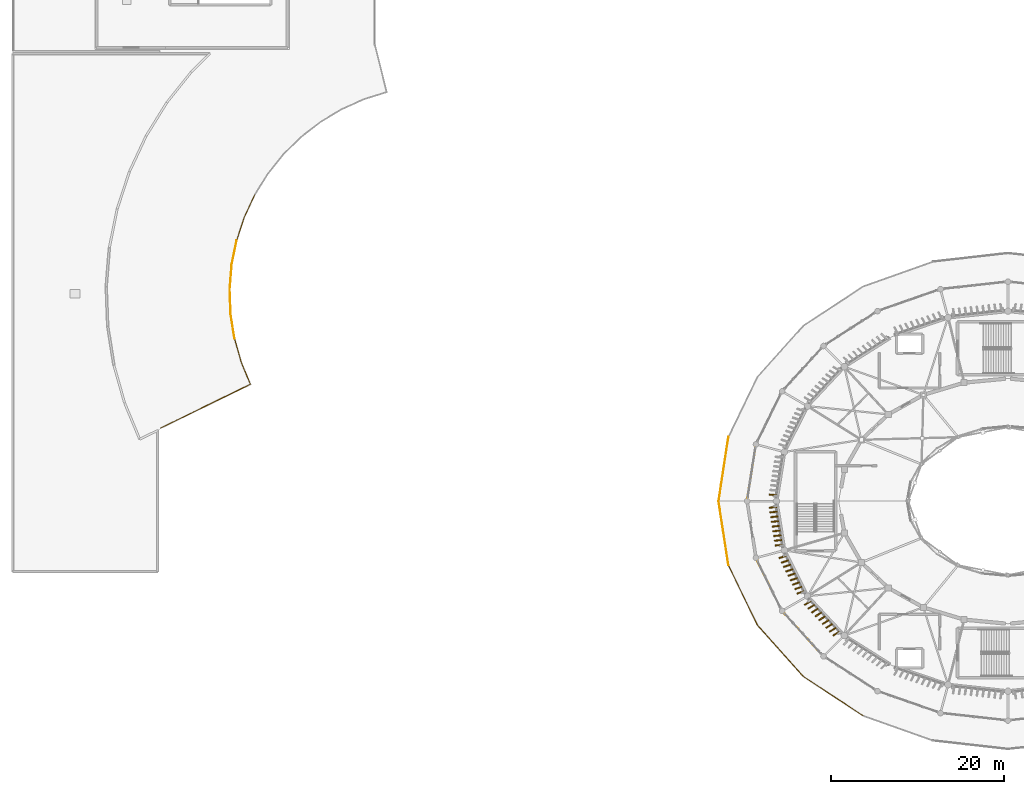
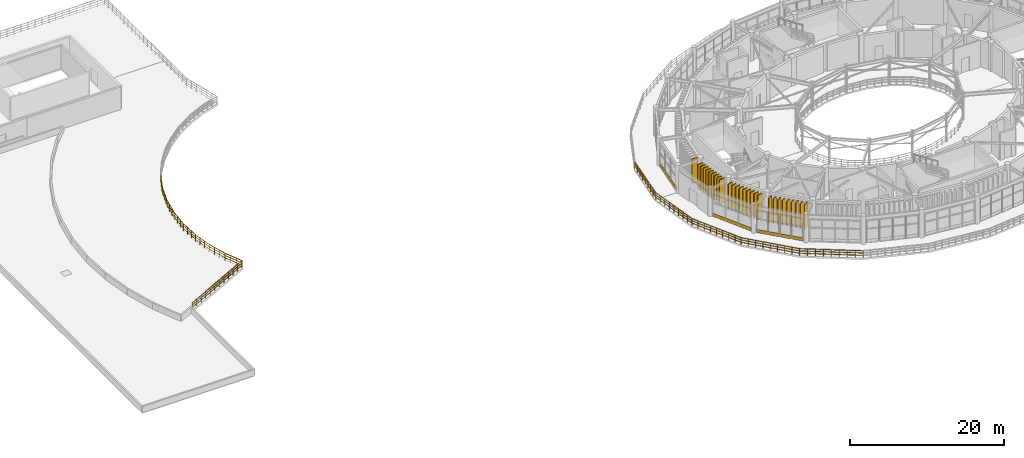
# One storey, part 38 of 45: 28 shading devices, 14 railings, 3 coverings.
"""IFC4 building model written with IfcOpenShell, lengths in metres."""

import ifcopenshell
import ifcopenshell.guid

model = None  # the IFC model being written
_history = None  # IfcOwnerHistory: only IFC2X3 demands one
_inside = {}  # id of a spatial element -> (the spatial element, [elements in it])
_under = {}  # id of a project, library or spatial element -> (it, [spatial elements below it])
_declared = {}  # id of a project -> (the project, [libraries it declares])
_typed = {}  # id of a type object -> (the type object, [elements of that type])
_made_of = {}  # id of a material, layer set ... -> (it, [elements and type objects made of it])


def new_model(schema):
    """Start an empty IFC model of exactly this schema.

    Asked for "IFC4X3", IfcOpenShell would pick the latest addendum, in which some entities
    have other attributes; the version numbers below select the first issue.
    IFC2X3 requires an IfcOwnerHistory on every rooted entity: one is made here for all.
    """
    global model, _history
    if schema == "IFC4X3":
        model = ifcopenshell.file(schema_version=(4, 3, 0, 0))
    else:
        model = ifcopenshell.file(schema=schema)
    _inside.clear()
    _under.clear()
    _declared.clear()
    _typed.clear()
    _made_of.clear()
    _history = None
    if model.schema == "IFC2X3":
        org = make("IfcOrganization", Name="unknown")
        user = make(
            "IfcPersonAndOrganization",
            ThePerson=make("IfcPerson", FamilyName="unknown"),
            TheOrganization=org,
        )
        app = make(
            "IfcApplication",
            ApplicationDeveloper=org,
            Version="unknown",
            ApplicationFullName="unknown",
            ApplicationIdentifier="unknown",
        )
        _history = make(
            "IfcOwnerHistory",
            OwningUser=user,
            OwningApplication=app,
            ChangeAction="ADDED",
            CreationDate=0,
        )
    return model


def make(cls, **values):
    """One entity of the class cls with the attributes given. An attribute that is None is left unset."""
    return model.create_entity(
        cls, **{name: value for name, value in values.items() if value is not None}
    )


def rooted(cls, **values):
    """An entity with a GlobalId (a new one), such as an element, a storey or a relation."""
    return make(cls, GlobalId=ifcopenshell.guid.new(), OwnerHistory=_history, **values)


def si_unit(unit_type, name, prefix=None):
    """IfcSIUnit, for example si_unit("LENGTHUNIT", "METRE", prefix="MILLI")."""
    return make("IfcSIUnit", UnitType=unit_type, Prefix=prefix, Name=name)


def assignment(units):
    """IfcUnitAssignment: the units of a project."""
    return None if units is None else make("IfcUnitAssignment", Units=units)


def point(xyz):
    """IfcCartesianPoint."""
    return None if xyz is None else make("IfcCartesianPoint", Coordinates=xyz)


def direction(xyz):
    """IfcDirection."""
    return None if xyz is None else make("IfcDirection", DirectionRatios=xyz)


def frame(location, z_axis=None, x_axis=None):
    """IfcAxis2Placement3D, a coordinate frame: its origin and axes. An axis left out is left unset."""
    return make(
        "IfcAxis2Placement3D",
        Location=point(location),
        Axis=direction(z_axis),
        RefDirection=direction(x_axis),
    )


def frame_2d(location, x_axis=None):
    """IfcAxis2Placement2D, a coordinate frame in the plane: its origin and x axis."""
    return make(
        "IfcAxis2Placement2D", Location=point(location), RefDirection=direction(x_axis)
    )


def origin():
    """The frame at (0, 0, 0) with its axes left unset."""
    return frame((0.0, 0.0, 0.0))


def origin_2d():
    """The frame at (0, 0) in the plane with its x axis left unset."""
    return frame_2d((0.0, 0.0))


def place(relative_to, where):
    """IfcLocalPlacement: puts the frame where relative to a parent placement (None: the world)."""
    return make(
        "IfcLocalPlacement", PlacementRelTo=relative_to, RelativePlacement=where
    )


def context(
    kind, dimensions, precision=None, world=None, true_north=None, identifier=None
):
    """IfcGeometricRepresentationContext, for example the 3D "Model" context."""
    return make(
        "IfcGeometricRepresentationContext",
        ContextIdentifier=identifier,
        ContextType=kind,
        CoordinateSpaceDimension=dimensions,
        Precision=precision,
        WorldCoordinateSystem=world,
        TrueNorth=true_north,
    )


def subcontext(parent, identifier, kind, view, scale=None):
    """IfcGeometricRepresentationSubContext, for example "Body" below "Model"."""
    return make(
        "IfcGeometricRepresentationSubContext",
        ContextIdentifier=identifier,
        ContextType=kind,
        ParentContext=parent,
        TargetScale=scale,
        TargetView=view,
    )


def project(units=None, contexts=None):
    """IfcProject with its units and contexts."""
    return rooted(
        "IfcProject",
        Name="project",
        RepresentationContexts=contexts,
        UnitsInContext=assignment(units),
    )


def spatial(cls, under=None, at=None, **own):
    """A site, building, storey or space (cls), placed at a placement, below another one or the project."""
    s = rooted(cls, ObjectPlacement=at, **own)
    if under is not None:
        _under.setdefault(under.id(), (under, []))[1].append(s)
    return s


def profile(cls, at=None, kind="AREA", **sizes):
    """A parametric profile (cls). Its sizes go by their IFC names, for example OverallWidth=200.0."""
    return make(cls, ProfileType=kind, Position=at, **sizes)


def rectangle(**sizes):
    """IfcRectangleProfileDef."""
    return profile("IfcRectangleProfileDef", **sizes)


def circle(**sizes):
    """IfcCircleProfileDef."""
    return profile("IfcCircleProfileDef", **sizes)


def extrude(swept, where, along, depth):
    """IfcExtrudedAreaSolid: the profile swept, set in the frame where, extruded along a direction by depth."""
    return make(
        "IfcExtrudedAreaSolid",
        SweptArea=swept,
        Position=where,
        ExtrudedDirection=direction(along),
        Depth=depth,
    )


def shape(context_of_items, identifier, shape_type, items):
    """IfcShapeRepresentation: the items that make up one representation, for example the "Body"."""
    return make(
        "IfcShapeRepresentation",
        ContextOfItems=context_of_items,
        RepresentationIdentifier=identifier,
        RepresentationType=shape_type,
        Items=items,
    )


def material(Name=None, Category=None):
    """IfcMaterial."""
    return make("IfcMaterial", Name=Name, Category=Category)


def layer(
    of_material, thickness, ventilated=None, Name=None, Category=None, Priority=None
):
    """IfcMaterialLayer: one layer of a wall or slab, of a material (None: an air gap)."""
    return make(
        "IfcMaterialLayer",
        Material=of_material,
        LayerThickness=thickness,
        IsVentilated=ventilated,
        Name=Name,
        Category=Category,
        Priority=Priority,
    )


def layer_set(layers, Name=None):
    """IfcMaterialLayerSet."""
    return make("IfcMaterialLayerSet", MaterialLayers=layers, LayerSetName=Name)


def made_of(thing, what):
    """Note that an element or type object is made of a material, layer set ...; save() writes the relation."""
    if what is not None:
        _made_of.setdefault(what.id(), (what, []))[1].append(thing)
    return thing


def type_object(cls, material=None, **own):
    """A type object (cls), such as IfcWallType, which elements share."""
    return made_of(rooted(cls, **own), material)


def element(
    cls,
    number,
    at=None,
    inside=None,
    cuts=None,
    type_object=None,
    material=None,
    context=None,
    identifier="Body",
    shape_type=None,
    held_by="IfcProductDefinitionShape",
    body=None,
    shapes=None,
    **own,
):
    """One element of the class cls, such as IfcWall. Its Tag is "e" and its number.

    at: its placement. inside: the storey or other place that contains it. cuts: it is an
    opening in that element (IfcRelVoidsElement). A single representation is given by context,
    identifier, shape_type and body (its items); several are given by shapes. held_by: the class
    of the entity that holds the representations. save() writes the other relations.
    """
    e = rooted(cls, Tag="e%d" % number, ObjectPlacement=at, **own)
    if body is not None:
        shapes = [shape(context, identifier, shape_type, body)]
    if shapes is not None:
        e.Representation = make(held_by, Representations=shapes)
    if inside is not None:
        _inside.setdefault(inside.id(), (inside, []))[1].append(e)
    if cuts is not None:
        rooted(
            "IfcRelVoidsElement", RelatingBuildingElement=cuts, RelatedOpeningElement=e
        )
    if type_object is not None:
        _typed.setdefault(type_object.id(), (type_object, []))[1].append(e)
    return made_of(e, material)


def aggregate(whole, parts):
    """IfcRelAggregates: a whole, such as a stair, and the parts it consists of."""
    return rooted("IfcRelAggregates", RelatingObject=whole, RelatedObjects=parts)


def save(model, path):
    """Write the relations noted so far, then the file.

    IfcRelAggregates (storeys below a building ...), IfcRelContainedInSpatialStructure (elements
    in a storey), IfcRelDefinesByType, IfcRelAssociatesMaterial and IfcRelDeclares: one each for
    every whole, place, type object, material and project.
    """
    for whole, parts in _under.values():
        aggregate(whole, parts)
    for where, things in _inside.values():
        rooted(
            "IfcRelContainedInSpatialStructure",
            RelatedElements=things,
            RelatingStructure=where,
        )
    for kind, things in _typed.values():
        rooted("IfcRelDefinesByType", RelatedObjects=things, RelatingType=kind)
    for what, things in _made_of.values():
        rooted("IfcRelAssociatesMaterial", RelatedObjects=things, RelatingMaterial=what)
    for by, libraries in _declared.values():
        rooted("IfcRelDeclares", RelatingContext=by, RelatedDefinitions=libraries)
    model.write(path)


model = new_model("IFC4")

# Units and contexts
model_context = context("Model", 3, precision=1e-05, world=origin(), true_north=direction((0.0, 1.0)))
body_context = subcontext(model_context, "Body", "Model", "MODEL_VIEW")
ifc_project = project(units=[si_unit("LENGTHUNIT", "METRE"), si_unit("AREAUNIT", "SQUARE_METRE"), si_unit("VOLUMEUNIT", "CUBIC_METRE"), si_unit("PLANEANGLEUNIT", "RADIAN"), si_unit("MASSUNIT", "GRAM", prefix="KILO")], contexts=[model_context])

# Site, building, storey
site_placement = place(None, origin())
site = spatial("IfcSite", under=ifc_project, at=site_placement, CompositionType="ELEMENT")
building_placement = place(site_placement, origin())
building = spatial("IfcBuilding", under=site, at=building_placement, Name="Cinderbank Siding Concert Hall", CompositionType="ELEMENT")
storey_placement = place(building_placement, frame((0.0, 0.0, 19.199951171875)))
storey = spatial("IfcBuildingStorey", under=building, at=storey_placement, Name="L05", CompositionType="ELEMENT", Elevation=19.199951171875)

# Coverings
ifc_material_1 = material(Name="Spotted gum glulam timber GL18 (42 MPa)", Category="wood")
ifc_layer = layer(ifc_material_1, 0.06494140625)
ifc_layer_set = layer_set([ifc_layer], Name="Spotted gum glulam timber GL18 (42 MPa)")
covering_type = type_object("IfcCoveringType", Name="CL-01 Spotted Gum Spandrel Band 520mm", PredefinedType="CLADDING", material=ifc_layer_set)
covering_1_placement = place(storey_placement, frame((92.314453125, 47.287109375, 0.0), z_axis=(0.0, 0.0, 1.0), x_axis=(-0.154642773708, -0.987970451248, 0.0)))
element("IfcCovering", 1, at=covering_1_placement, inside=storey, type_object=covering_type, Name="CW-L05-082 Spotted Gum Spandrel Band", PredefinedType="CLADDING", context=body_context, shape_type="SweptSolid", body=[
    extrude(rectangle(XDim=5.8740234375, YDim=0.06494140625, at=origin_2d()), origin(), (0.0, 0.0, 1.0), 0.52001953125),
])
covering_2_placement = place(storey_placement, frame((94.33740234375, 34.363037109375, 0.0), z_axis=(0.0, 0.0, 1.0), x_axis=(0.441816401468, -0.897105494016, 0.0)))
element("IfcCovering", 2, at=covering_2_placement, inside=storey, type_object=covering_type, Name="CW-L05-083 Spotted Gum Spandrel Band", PredefinedType="CLADDING", context=body_context, shape_type="SweptSolid", body=[
    extrude(rectangle(XDim=6.048583984375, YDim=0.06494140625, at=origin_2d()), origin(), (0.0, 0.0, 1.0), 0.52001953125),
])
covering_3_placement = place(storey_placement, frame((98.24560546875, 28.669921875, 0.0), z_axis=(0.0, 0.0, 1.0), x_axis=(0.673988610863, -0.738741735945, 0.0)))
element("IfcCovering", 3, at=covering_3_placement, inside=storey, type_object=covering_type, Name="CW-L05-084 Spotted Gum Spandrel Band", PredefinedType="CLADDING", context=body_context, shape_type="SweptSolid", body=[
    extrude(rectangle(XDim=6.3408203125, YDim=0.06494140625, at=origin_2d()), origin(), (0.0, 0.0, 1.0), 0.52001953125),
])

# Railings
ifc_material_2 = material(Name="Structural steel AS/NZS 3679.1 Grade 350 (340 MPa)", Category="steel")
railing_type = type_object("IfcRailingType", Name="GD-01 Terrace & Perimeter Guardrail 1120mm", PredefinedType="GUARDRAIL", material=ifc_material_2)
railing_1_placement = place(storey_placement, frame((88.501220703125, 44.0, 0.0)))
element("IfcRailing", 4, at=railing_1_placement, inside=storey, type_object=railing_type, Name="L05 Perimeter Guardrail #95", PredefinedType="GUARDRAIL", context=body_context, shape_type="SweptSolid", body=[
    extrude(circle(Radius=0.02392578125, at=origin_2d()), frame((0.0, 0.0, 1.09619140625), z_axis=(0.151825144427, 0.988407368204, 0.0), x_axis=(-0.988407368204, 0.151825144427, 0.0)), (0.0, 0.0, 1.0), 7.51123046875),
    extrude(circle(Radius=0.01611328125, at=origin_2d()), frame((0.0, 0.0, 0.36962890625), z_axis=(0.151825144427, 0.988407368204, 0.0), x_axis=(-0.988407368204, 0.151825144427, 0.0)), (0.0, 0.0, 1.0), 7.51123046875),
    extrude(circle(Radius=0.01611328125, at=origin_2d()), frame((0.0, 0.0, 0.7392578125), z_axis=(0.151825144427, 0.988407368204, 0.0), x_axis=(-0.988407368204, 0.151825144427, 0.0)), (0.0, 0.0, 1.0), 7.51123046875),
    extrude(circle(Radius=0.02099609375, at=origin_2d()), origin(), (0.0, 0.0, 1.0), 1.072021484375),
    extrude(circle(Radius=0.02099609375, at=origin_2d()), frame((0.142578125, 0.927978515625, 0.0)), (0.0, 0.0, 1.0), 1.072021484375),
    extrude(circle(Radius=0.02099609375, at=origin_2d()), frame((0.28515625, 1.85595703125, 0.0)), (0.0, 0.0, 1.0), 1.072021484375),
    extrude(circle(Radius=0.02099609375, at=origin_2d()), frame((0.427734375, 2.783935546875, 0.0)), (0.0, 0.0, 1.0), 1.072021484375),
    extrude(circle(Radius=0.02099609375, at=origin_2d()), frame((0.5703125, 3.7119140625, 0.0)), (0.0, 0.0, 1.0), 1.072021484375),
    extrude(circle(Radius=0.02099609375, at=origin_2d()), frame((0.712646484375, 4.64013671875, 0.0)), (0.0, 0.0, 1.0), 1.072021484375),
    extrude(circle(Radius=0.02099609375, at=origin_2d()), frame((0.855224609375, 5.568115234375, 0.0)), (0.0, 0.0, 1.0), 1.072021484375),
    extrude(circle(Radius=0.02099609375, at=origin_2d()), frame((0.997802734375, 6.49609375, 0.0)), (0.0, 0.0, 1.0), 1.072021484375),
    extrude(circle(Radius=0.02099609375, at=origin_2d()), frame((1.140380859375, 7.424072265625, 0.0)), (0.0, 0.0, 1.0), 1.072021484375),
])
railing_2_placement = place(storey_placement, frame((105.244873046875, 19.148681640625, 0.0)))
element("IfcRailing", 5, at=railing_2_placement, inside=storey, type_object=railing_type, Name="L05 Perimeter Guardrail #115", PredefinedType="GUARDRAIL", context=body_context, shape_type="SweptSolid", body=[
    extrude(circle(Radius=0.02392578125, at=origin_2d()), frame((0.0, 0.0, 1.09619140625), z_axis=(-0.835498780088, 0.549492300649, 0.0), x_axis=(-0.549492300649, -0.835498780088, 0.0)), (0.0, 0.0, 1.0), 8.303955078125),
    extrude(circle(Radius=0.01611328125, at=origin_2d()), frame((0.0, 0.0, 0.36962890625), z_axis=(-0.835498780088, 0.549492300649, 0.0), x_axis=(-0.549492300649, -0.835498780088, 0.0)), (0.0, 0.0, 1.0), 8.303955078125),
    extrude(circle(Radius=0.01611328125, at=origin_2d()), frame((0.0, 0.0, 0.7392578125), z_axis=(-0.835498780088, 0.549492300649, 0.0), x_axis=(-0.549492300649, -0.835498780088, 0.0)), (0.0, 0.0, 1.0), 8.303955078125),
    extrude(circle(Radius=0.02099609375, at=origin_2d()), origin(), (0.0, 0.0, 1.0), 1.072021484375),
    extrude(circle(Radius=0.02099609375, at=origin_2d()), frame((-0.8671875, 0.5703125, 0.0)), (0.0, 0.0, 1.0), 1.072021484375),
    extrude(circle(Radius=0.02099609375, at=origin_2d()), frame((-1.734375, 1.140625, 0.0)), (0.0, 0.0, 1.0), 1.072021484375),
    extrude(circle(Radius=0.02099609375, at=origin_2d()), frame((-2.601806640625, 1.711181640625, 0.0)), (0.0, 0.0, 1.0), 1.072021484375),
    extrude(circle(Radius=0.02099609375, at=origin_2d()), frame((-3.468994140625, 2.281494140625, 0.0)), (0.0, 0.0, 1.0), 1.072021484375),
    extrude(circle(Radius=0.02099609375, at=origin_2d()), frame((-4.336181640625, 2.851806640625, 0.0)), (0.0, 0.0, 1.0), 1.072021484375),
    extrude(circle(Radius=0.02099609375, at=origin_2d()), frame((-5.20361328125, 3.42236328125, 0.0)), (0.0, 0.0, 1.0), 1.072021484375),
    extrude(circle(Radius=0.02099609375, at=origin_2d()), frame((-6.07080078125, 3.99267578125, 0.0)), (0.0, 0.0, 1.0), 1.072021484375),
    extrude(circle(Radius=0.02099609375, at=origin_2d()), frame((-6.93798828125, 4.56298828125, 0.0)), (0.0, 0.0, 1.0), 1.072021484375),
])
railing_3_placement = place(storey_placement, frame((98.306884765625, 23.711669921875, 0.0)))
element("IfcRailing", 6, at=railing_3_placement, inside=storey, type_object=railing_type, Name="L05 Perimeter Guardrail #116", PredefinedType="GUARDRAIL", context=body_context, shape_type="SweptSolid", body=[
    extrude(circle(Radius=0.02392578125, at=origin_2d()), frame((0.0, 0.0, 1.09619140625), z_axis=(-0.666982673657, 0.745073226631, 0.0), x_axis=(-0.745073226631, -0.666982673657, 0.0)), (0.0, 0.0, 1.0), 7.978515625),
    extrude(circle(Radius=0.01611328125, at=origin_2d()), frame((0.0, 0.0, 0.36962890625), z_axis=(-0.666982673657, 0.745073226631, 0.0), x_axis=(-0.745073226631, -0.666982673657, 0.0)), (0.0, 0.0, 1.0), 7.978515625),
    extrude(circle(Radius=0.01611328125, at=origin_2d()), frame((0.0, 0.0, 0.7392578125), z_axis=(-0.666982673657, 0.745073226631, 0.0), x_axis=(-0.745073226631, -0.666982673657, 0.0)), (0.0, 0.0, 1.0), 7.978515625),
    extrude(circle(Radius=0.02099609375, at=origin_2d()), origin(), (0.0, 0.0, 1.0), 1.072021484375),
    extrude(circle(Radius=0.02099609375, at=origin_2d()), frame((-0.665283203125, 0.7431640625, 0.0)), (0.0, 0.0, 1.0), 1.072021484375),
    extrude(circle(Radius=0.02099609375, at=origin_2d()), frame((-1.330322265625, 1.486083984375, 0.0)), (0.0, 0.0, 1.0), 1.072021484375),
    extrude(circle(Radius=0.02099609375, at=origin_2d()), frame((-1.99560546875, 2.229248046875, 0.0)), (0.0, 0.0, 1.0), 1.072021484375),
    extrude(circle(Radius=0.02099609375, at=origin_2d()), frame((-2.66064453125, 2.97216796875, 0.0)), (0.0, 0.0, 1.0), 1.072021484375),
    extrude(circle(Radius=0.02099609375, at=origin_2d()), frame((-3.325927734375, 3.71533203125, 0.0)), (0.0, 0.0, 1.0), 1.072021484375),
    extrude(circle(Radius=0.02099609375, at=origin_2d()), frame((-3.9912109375, 4.45849609375, 0.0)), (0.0, 0.0, 1.0), 1.072021484375),
    extrude(circle(Radius=0.02099609375, at=origin_2d()), frame((-4.65625, 5.201416015625, 0.0)), (0.0, 0.0, 1.0), 1.072021484375),
    extrude(circle(Radius=0.02099609375, at=origin_2d()), frame((-5.321533203125, 5.944580078125, 0.0)), (0.0, 0.0, 1.0), 1.072021484375),
])
railing_4_placement = place(storey_placement, frame((92.9853515625, 29.65625, 0.0)))
element("IfcRailing", 7, at=railing_4_placement, inside=storey, type_object=railing_type, Name="L05 Perimeter Guardrail #117", PredefinedType="GUARDRAIL", context=body_context, shape_type="SweptSolid", body=[
    extrude(circle(Radius=0.02392578125, at=origin_2d()), frame((0.0, 0.0, 1.09619140625), z_axis=(-0.435088399424, 0.900387741302, 0.0), x_axis=(-0.900387741302, -0.435088399424, 0.0)), (0.0, 0.0, 1.0), 7.685302734375),
    extrude(circle(Radius=0.01611328125, at=origin_2d()), frame((0.0, 0.0, 0.36962890625), z_axis=(-0.435088399424, 0.900387741302, 0.0), x_axis=(-0.900387741302, -0.435088399424, 0.0)), (0.0, 0.0, 1.0), 7.685302734375),
    extrude(circle(Radius=0.01611328125, at=origin_2d()), frame((0.0, 0.0, 0.7392578125), z_axis=(-0.435088399424, 0.900387741302, 0.0), x_axis=(-0.900387741302, -0.435088399424, 0.0)), (0.0, 0.0, 1.0), 7.685302734375),
    extrude(circle(Radius=0.02099609375, at=origin_2d()), origin(), (0.0, 0.0, 1.0), 1.072021484375),
    extrude(circle(Radius=0.02099609375, at=origin_2d()), frame((-0.41796875, 0.864990234375, 0.0)), (0.0, 0.0, 1.0), 1.072021484375),
    extrude(circle(Radius=0.02099609375, at=origin_2d()), frame((-0.8359375, 1.72998046875, 0.0)), (0.0, 0.0, 1.0), 1.072021484375),
    extrude(circle(Radius=0.02099609375, at=origin_2d()), frame((-1.25390625, 2.594970703125, 0.0)), (0.0, 0.0, 1.0), 1.072021484375),
    extrude(circle(Radius=0.02099609375, at=origin_2d()), frame((-1.671875, 3.4599609375, 0.0)), (0.0, 0.0, 1.0), 1.072021484375),
    extrude(circle(Radius=0.02099609375, at=origin_2d()), frame((-2.08984375, 4.32470703125, 0.0)), (0.0, 0.0, 1.0), 1.072021484375),
    extrude(circle(Radius=0.02099609375, at=origin_2d()), frame((-2.5078125, 5.189697265625, 0.0)), (0.0, 0.0, 1.0), 1.072021484375),
    extrude(circle(Radius=0.02099609375, at=origin_2d()), frame((-2.92578125, 6.0546875, 0.0)), (0.0, 0.0, 1.0), 1.072021484375),
    extrude(circle(Radius=0.02099609375, at=origin_2d()), frame((-3.34375, 6.919677734375, 0.0)), (0.0, 0.0, 1.0), 1.072021484375),
])
railing_5_placement = place(storey_placement, frame((89.6416015625, 36.575927734375, 0.0)))
element("IfcRailing", 8, at=railing_5_placement, inside=storey, type_object=railing_type, Name="L05 Perimeter Guardrail #118", PredefinedType="GUARDRAIL", context=body_context, shape_type="SweptSolid", body=[
    extrude(circle(Radius=0.02392578125, at=origin_2d()), frame((0.0, 0.0, 1.09619140625), z_axis=(-0.151825144427, 0.988407368204, 0.0), x_axis=(-0.988407368204, -0.151825144427, 0.0)), (0.0, 0.0, 1.0), 7.51123046875),
    extrude(circle(Radius=0.01611328125, at=origin_2d()), frame((0.0, 0.0, 0.36962890625), z_axis=(-0.151825144427, 0.988407368204, 0.0), x_axis=(-0.988407368204, -0.151825144427, 0.0)), (0.0, 0.0, 1.0), 7.51123046875),
    extrude(circle(Radius=0.01611328125, at=origin_2d()), frame((0.0, 0.0, 0.7392578125), z_axis=(-0.151825144427, 0.988407368204, 0.0), x_axis=(-0.988407368204, -0.151825144427, 0.0)), (0.0, 0.0, 1.0), 7.51123046875),
    extrude(circle(Radius=0.02099609375, at=origin_2d()), origin(), (0.0, 0.0, 1.0), 1.072021484375),
    extrude(circle(Radius=0.02099609375, at=origin_2d()), frame((-0.142578125, 0.927978515625, 0.0)), (0.0, 0.0, 1.0), 1.072021484375),
    extrude(circle(Radius=0.02099609375, at=origin_2d()), frame((-0.28515625, 1.85595703125, 0.0)), (0.0, 0.0, 1.0), 1.072021484375),
    extrude(circle(Radius=0.02099609375, at=origin_2d()), frame((-0.427734375, 2.783935546875, 0.0)), (0.0, 0.0, 1.0), 1.072021484375),
    extrude(circle(Radius=0.02099609375, at=origin_2d()), frame((-0.5703125, 3.7119140625, 0.0)), (0.0, 0.0, 1.0), 1.072021484375),
    extrude(circle(Radius=0.02099609375, at=origin_2d()), frame((-0.712646484375, 4.64013671875, 0.0)), (0.0, 0.0, 1.0), 1.072021484375),
    extrude(circle(Radius=0.02099609375, at=origin_2d()), frame((-0.855224609375, 5.568115234375, 0.0)), (0.0, 0.0, 1.0), 1.072021484375),
    extrude(circle(Radius=0.02099609375, at=origin_2d()), frame((-0.997802734375, 6.49609375, 0.0)), (0.0, 0.0, 1.0), 1.072021484375),
    extrude(circle(Radius=0.02099609375, at=origin_2d()), frame((-1.140380859375, 7.424072265625, 0.0)), (0.0, 0.0, 1.0), 1.072021484375),
])
railing_6_placement = place(storey_placement, frame((34.80029296875, 79.462646484375, 0.0)))
element("IfcRailing", 9, at=railing_6_placement, inside=storey, type_object=railing_type, Name="L05 Perimeter Guardrail #129", PredefinedType="GUARDRAIL", context=body_context, shape_type="SweptSolid", body=[
    extrude(circle(Radius=0.02392578125, at=origin_2d()), frame((0.0, 0.0, 1.09619140625), z_axis=(-0.42258621147, -0.906322731633, 0.0), x_axis=(0.906322731633, -0.42258621147, 0.0)), (0.0, 0.0, 1.0), 2.858642578125),
    extrude(circle(Radius=0.01611328125, at=origin_2d()), frame((0.0, 0.0, 0.36962890625), z_axis=(-0.42258621147, -0.906322731633, 0.0), x_axis=(0.906322731633, -0.42258621147, 0.0)), (0.0, 0.0, 1.0), 2.858642578125),
    extrude(circle(Radius=0.01611328125, at=origin_2d()), frame((0.0, 0.0, 0.7392578125), z_axis=(-0.42258621147, -0.906322731633, 0.0), x_axis=(0.906322731633, -0.42258621147, 0.0)), (0.0, 0.0, 1.0), 2.858642578125),
    extrude(circle(Radius=0.02099609375, at=origin_2d()), origin(), (0.0, 0.0, 1.0), 1.072021484375),
    extrude(circle(Radius=0.02099609375, at=origin_2d()), frame((-0.402587890625, -0.863525390625, 0.0)), (0.0, 0.0, 1.0), 1.072021484375),
    extrude(circle(Radius=0.02099609375, at=origin_2d()), frame((-0.805419921875, -1.727294921875, 0.0)), (0.0, 0.0, 1.0), 1.072021484375),
    extrude(circle(Radius=0.02099609375, at=origin_2d()), frame((-1.2080078125, -2.5908203125, 0.0)), (0.0, 0.0, 1.0), 1.072021484375),
])
railing_7_placement = place(storey_placement, frame((33.59228515625, 76.871826171875, 0.0)))
element("IfcRailing", 10, at=railing_7_placement, inside=storey, type_object=railing_type, Name="L05 Perimeter Guardrail #130", PredefinedType="GUARDRAIL", context=body_context, shape_type="SweptSolid", body=[
    extrude(circle(Radius=0.02392578125, at=origin_2d()), frame((0.0, 0.0, 1.09619140625), z_axis=(-0.312407649097, -0.94994813584, 0.0), x_axis=(0.94994813584, -0.312407649097, 0.0)), (0.0, 0.0, 1.0), 2.858642578125),
    extrude(circle(Radius=0.01611328125, at=origin_2d()), frame((0.0, 0.0, 0.36962890625), z_axis=(-0.312407649097, -0.94994813584, 0.0), x_axis=(0.94994813584, -0.312407649097, 0.0)), (0.0, 0.0, 1.0), 2.858642578125),
    extrude(circle(Radius=0.01611328125, at=origin_2d()), frame((0.0, 0.0, 0.7392578125), z_axis=(-0.312407649097, -0.94994813584, 0.0), x_axis=(0.94994813584, -0.312407649097, 0.0)), (0.0, 0.0, 1.0), 2.858642578125),
    extrude(circle(Radius=0.02099609375, at=origin_2d()), origin(), (0.0, 0.0, 1.0), 1.072021484375),
    extrude(circle(Radius=0.02099609375, at=origin_2d()), frame((-0.297607421875, -0.9052734375, 0.0)), (0.0, 0.0, 1.0), 1.072021484375),
    extrude(circle(Radius=0.02099609375, at=origin_2d()), frame((-0.595458984375, -1.810302734375, 0.0)), (0.0, 0.0, 1.0), 1.072021484375),
    extrude(circle(Radius=0.02099609375, at=origin_2d()), frame((-0.89306640625, -2.715576171875, 0.0)), (0.0, 0.0, 1.0), 1.072021484375),
])
railing_8_placement = place(storey_placement, frame((32.69921875, 74.15625, 0.0)))
element("IfcRailing", 11, at=railing_8_placement, inside=storey, type_object=railing_type, Name="L05 Perimeter Guardrail #131", PredefinedType="GUARDRAIL", context=body_context, shape_type="SweptSolid", body=[
    extrude(circle(Radius=0.02392578125, at=origin_2d()), frame((0.0, 0.0, 1.09619140625), z_axis=(-0.197544840508, -0.980293851857, 0.0), x_axis=(0.980293851857, -0.197544840508, 0.0)), (0.0, 0.0, 1.0), 2.858642578125),
    extrude(circle(Radius=0.01611328125, at=origin_2d()), frame((0.0, 0.0, 0.36962890625), z_axis=(-0.197544840508, -0.980293851857, 0.0), x_axis=(0.980293851857, -0.197544840508, 0.0)), (0.0, 0.0, 1.0), 2.858642578125),
    extrude(circle(Radius=0.01611328125, at=origin_2d()), frame((0.0, 0.0, 0.7392578125), z_axis=(-0.197544840508, -0.980293851857, 0.0), x_axis=(0.980293851857, -0.197544840508, 0.0)), (0.0, 0.0, 1.0), 2.858642578125),
    extrude(circle(Radius=0.02099609375, at=origin_2d()), origin(), (0.0, 0.0, 1.0), 1.072021484375),
    extrude(circle(Radius=0.02099609375, at=origin_2d()), frame((-0.188232421875, -0.93408203125, 0.0)), (0.0, 0.0, 1.0), 1.072021484375),
    extrude(circle(Radius=0.02099609375, at=origin_2d()), frame((-0.37646484375, -1.8681640625, 0.0)), (0.0, 0.0, 1.0), 1.072021484375),
    extrude(circle(Radius=0.02099609375, at=origin_2d()), frame((-0.564697265625, -2.80224609375, 0.0)), (0.0, 0.0, 1.0), 1.072021484375),
])
railing_9_placement = place(storey_placement, frame((32.134521484375, 71.35400390625, 0.0)))
element("IfcRailing", 12, at=railing_9_placement, inside=storey, type_object=railing_type, Name="L05 Perimeter Guardrail #132", PredefinedType="GUARDRAIL", context=body_context, shape_type="SweptSolid", body=[
    extrude(circle(Radius=0.02392578125, at=origin_2d()), frame((0.0, 0.0, 1.09619140625), z_axis=(-0.080281543482, -0.996772227631, 0.0), x_axis=(0.996772227631, -0.080281543482, 0.0)), (0.0, 0.0, 1.0), 2.858642578125),
    extrude(circle(Radius=0.01611328125, at=origin_2d()), frame((0.0, 0.0, 0.36962890625), z_axis=(-0.080281543482, -0.996772227631, 0.0), x_axis=(0.996772227631, -0.080281543482, 0.0)), (0.0, 0.0, 1.0), 2.858642578125),
    extrude(circle(Radius=0.01611328125, at=origin_2d()), frame((0.0, 0.0, 0.7392578125), z_axis=(-0.080281543482, -0.996772227631, 0.0), x_axis=(0.996772227631, -0.080281543482, 0.0)), (0.0, 0.0, 1.0), 2.858642578125),
    extrude(circle(Radius=0.02099609375, at=origin_2d()), origin(), (0.0, 0.0, 1.0), 1.072021484375),
    extrude(circle(Radius=0.02099609375, at=origin_2d()), frame((-0.076416015625, -0.94970703125, 0.0)), (0.0, 0.0, 1.0), 1.072021484375),
    extrude(circle(Radius=0.02099609375, at=origin_2d()), frame((-0.153076171875, -1.899658203125, 0.0)), (0.0, 0.0, 1.0), 1.072021484375),
    extrude(circle(Radius=0.02099609375, at=origin_2d()), frame((-0.2294921875, -2.849365234375, 0.0)), (0.0, 0.0, 1.0), 1.072021484375),
])
railing_10_placement = place(storey_placement, frame((31.905029296875, 68.504638671875, 0.0)))
element("IfcRailing", 13, at=railing_10_placement, inside=storey, type_object=railing_type, Name="L05 Perimeter Guardrail #133", PredefinedType="GUARDRAIL", context=body_context, shape_type="SweptSolid", body=[
    extrude(circle(Radius=0.02392578125, at=origin_2d()), frame((0.0, 0.0, 1.09619140625), z_axis=(0.038433122101, -0.999261174631, 0.0), x_axis=(0.999261174631, 0.038433122101, 0.0)), (0.0, 0.0, 1.0), 2.858642578125),
    extrude(circle(Radius=0.01611328125, at=origin_2d()), frame((0.0, 0.0, 0.36962890625), z_axis=(0.038433122101, -0.999261174631, 0.0), x_axis=(0.999261174631, 0.038433122101, 0.0)), (0.0, 0.0, 1.0), 2.858642578125),
    extrude(circle(Radius=0.01611328125, at=origin_2d()), frame((0.0, 0.0, 0.7392578125), z_axis=(0.038433122101, -0.999261174631, 0.0), x_axis=(0.999261174631, 0.038433122101, 0.0)), (0.0, 0.0, 1.0), 2.858642578125),
    extrude(circle(Radius=0.02099609375, at=origin_2d()), origin(), (0.0, 0.0, 1.0), 1.072021484375),
    extrude(circle(Radius=0.02099609375, at=origin_2d()), frame((0.03662109375, -0.9521484375, 0.0)), (0.0, 0.0, 1.0), 1.072021484375),
    extrude(circle(Radius=0.02099609375, at=origin_2d()), frame((0.0732421875, -1.904296875, 0.0)), (0.0, 0.0, 1.0), 1.072021484375),
    extrude(circle(Radius=0.02099609375, at=origin_2d()), frame((0.10986328125, -2.8564453125, 0.0)), (0.0, 0.0, 1.0), 1.072021484375),
])
railing_11_placement = place(storey_placement, frame((32.014892578125, 65.648193359375, 0.0)))
element("IfcRailing", 14, at=railing_11_placement, inside=storey, type_object=railing_type, Name="L05 Perimeter Guardrail #134", PredefinedType="GUARDRAIL", context=body_context, shape_type="SweptSolid", body=[
    extrude(circle(Radius=0.02392578125, at=origin_2d()), frame((0.0, 0.0, 1.09619140625), z_axis=(0.15647132003, -0.987682502633, 0.0), x_axis=(0.987682502633, 0.15647132003, 0.0)), (0.0, 0.0, 1.0), 2.8583984375),
    extrude(circle(Radius=0.01611328125, at=origin_2d()), frame((0.0, 0.0, 0.36962890625), z_axis=(0.15647132003, -0.987682502633, 0.0), x_axis=(0.987682502633, 0.15647132003, 0.0)), (0.0, 0.0, 1.0), 2.8583984375),
    extrude(circle(Radius=0.01611328125, at=origin_2d()), frame((0.0, 0.0, 0.7392578125), z_axis=(0.15647132003, -0.987682502633, 0.0), x_axis=(0.987682502633, 0.15647132003, 0.0)), (0.0, 0.0, 1.0), 2.8583984375),
    extrude(circle(Radius=0.02099609375, at=origin_2d()), origin(), (0.0, 0.0, 1.0), 1.072021484375),
    extrude(circle(Radius=0.02099609375, at=origin_2d()), frame((0.149169921875, -0.941162109375, 0.0)), (0.0, 0.0, 1.0), 1.072021484375),
    extrude(circle(Radius=0.02099609375, at=origin_2d()), frame((0.298095703125, -1.882080078125, 0.0)), (0.0, 0.0, 1.0), 1.072021484375),
    extrude(circle(Radius=0.02099609375, at=origin_2d()), frame((0.447265625, -2.8232421875, 0.0)), (0.0, 0.0, 1.0), 1.072021484375),
])
railing_12_placement = place(storey_placement, frame((32.462158203125, 62.824951171875, 0.0)))
element("IfcRailing", 15, at=railing_12_placement, inside=storey, type_object=railing_type, Name="L05 Perimeter Guardrail #135", PredefinedType="GUARDRAIL", context=body_context, shape_type="SweptSolid", body=[
    extrude(circle(Radius=0.02392578125, at=origin_2d()), frame((0.0, 0.0, 1.09619140625), z_axis=(0.272261299014, -0.962223355079, 0.0), x_axis=(0.962223355079, 0.272261299014, 0.0)), (0.0, 0.0, 1.0), 2.858642578125),
    extrude(circle(Radius=0.01611328125, at=origin_2d()), frame((0.0, 0.0, 0.36962890625), z_axis=(0.272261299014, -0.962223355079, 0.0), x_axis=(0.962223355079, 0.272261299014, 0.0)), (0.0, 0.0, 1.0), 2.858642578125),
    extrude(circle(Radius=0.01611328125, at=origin_2d()), frame((0.0, 0.0, 0.7392578125), z_axis=(0.272261299014, -0.962223355079, 0.0), x_axis=(0.962223355079, 0.272261299014, 0.0)), (0.0, 0.0, 1.0), 2.858642578125),
    extrude(circle(Radius=0.02099609375, at=origin_2d()), origin(), (0.0, 0.0, 1.0), 1.072021484375),
    extrude(circle(Radius=0.02099609375, at=origin_2d()), frame((0.259521484375, -0.9169921875, 0.0)), (0.0, 0.0, 1.0), 1.072021484375),
    extrude(circle(Radius=0.02099609375, at=origin_2d()), frame((0.518798828125, -1.833740234375, 0.0)), (0.0, 0.0, 1.0), 1.072021484375),
    extrude(circle(Radius=0.02099609375, at=origin_2d()), frame((0.7783203125, -2.750732421875, 0.0)), (0.0, 0.0, 1.0), 1.072021484375),
])
railing_13_placement = place(storey_placement, frame((33.240478515625, 60.07421875, 0.0)))
element("IfcRailing", 16, at=railing_13_placement, inside=storey, type_object=railing_type, Name="L05 Perimeter Guardrail #136", PredefinedType="GUARDRAIL", context=body_context, shape_type="SweptSolid", body=[
    extrude(circle(Radius=0.02392578125, at=origin_2d()), frame((0.0, 0.0, 1.09619140625), z_axis=(0.384219413582, -0.923241811351, 0.0), x_axis=(0.923241811351, 0.384219413582, 0.0)), (0.0, 0.0, 1.0), 2.75830078125),
    extrude(circle(Radius=0.01611328125, at=origin_2d()), frame((0.0, 0.0, 0.36962890625), z_axis=(0.384219413582, -0.923241811351, 0.0), x_axis=(0.923241811351, 0.384219413582, 0.0)), (0.0, 0.0, 1.0), 2.75830078125),
    extrude(circle(Radius=0.01611328125, at=origin_2d()), frame((0.0, 0.0, 0.7392578125), z_axis=(0.384219413582, -0.923241811351, 0.0), x_axis=(0.923241811351, 0.384219413582, 0.0)), (0.0, 0.0, 1.0), 2.75830078125),
    extrude(circle(Radius=0.02099609375, at=origin_2d()), origin(), (0.0, 0.0, 1.0), 1.072021484375),
    extrude(circle(Radius=0.02099609375, at=origin_2d()), frame((0.353271484375, -0.848876953125, 0.0)), (0.0, 0.0, 1.0), 1.072021484375),
    extrude(circle(Radius=0.02099609375, at=origin_2d()), frame((0.70654296875, -1.69775390625, 0.0)), (0.0, 0.0, 1.0), 1.072021484375),
    extrude(circle(Radius=0.02099609375, at=origin_2d()), frame((1.059814453125, -2.546630859375, 0.0)), (0.0, 0.0, 1.0), 1.072021484375),
])
railing_14_placement = place(storey_placement, frame((34.30029296875, 57.527587890625, 0.0)))
element("IfcRailing", 17, at=railing_14_placement, inside=storey, type_object=railing_type, Name="L05 Perimeter Guardrail #137", PredefinedType="GUARDRAIL", context=body_context, shape_type="SweptSolid", body=[
    extrude(circle(Radius=0.02392578125, at=origin_2d()), frame((0.0, 0.0, 1.09619140625), z_axis=(-0.898794455707, -0.438370307378, 0.0), x_axis=(0.438370307378, -0.898794455707, 0.0)), (0.0, 0.0, 1.0), 11.546142578125),
    extrude(circle(Radius=0.01611328125, at=origin_2d()), frame((0.0, 0.0, 0.36962890625), z_axis=(-0.898794455707, -0.438370307378, 0.0), x_axis=(0.438370307378, -0.898794455707, 0.0)), (0.0, 0.0, 1.0), 11.546142578125),
    extrude(circle(Radius=0.01611328125, at=origin_2d()), frame((0.0, 0.0, 0.7392578125), z_axis=(-0.898794455707, -0.438370307378, 0.0), x_axis=(0.438370307378, -0.898794455707, 0.0)), (0.0, 0.0, 1.0), 11.546142578125),
    extrude(circle(Radius=0.02099609375, at=origin_2d()), origin(), (0.0, 0.0, 1.0), 1.072021484375),
    extrude(circle(Radius=0.02099609375, at=origin_2d()), frame((-0.943359375, -0.460205078125, 0.0)), (0.0, 0.0, 1.0), 1.072021484375),
    extrude(circle(Radius=0.02099609375, at=origin_2d()), frame((-1.886962890625, -0.920166015625, 0.0)), (0.0, 0.0, 1.0), 1.072021484375),
    extrude(circle(Radius=0.02099609375, at=origin_2d()), frame((-2.830322265625, -1.38037109375, 0.0)), (0.0, 0.0, 1.0), 1.072021484375),
    extrude(circle(Radius=0.02099609375, at=origin_2d()), frame((-3.773681640625, -1.840576171875, 0.0)), (0.0, 0.0, 1.0), 1.072021484375),
    extrude(circle(Radius=0.02099609375, at=origin_2d()), frame((-4.717041015625, -2.30078125, 0.0)), (0.0, 0.0, 1.0), 1.072021484375),
    extrude(circle(Radius=0.02099609375, at=origin_2d()), frame((-5.66064453125, -2.7607421875, 0.0)), (0.0, 0.0, 1.0), 1.072021484375),
    extrude(circle(Radius=0.02099609375, at=origin_2d()), frame((-6.60400390625, -3.220947265625, 0.0)), (0.0, 0.0, 1.0), 1.072021484375),
    extrude(circle(Radius=0.02099609375, at=origin_2d()), frame((-7.54736328125, -3.68115234375, 0.0)), (0.0, 0.0, 1.0), 1.072021484375),
    extrude(circle(Radius=0.02099609375, at=origin_2d()), frame((-8.49072265625, -4.141357421875, 0.0)), (0.0, 0.0, 1.0), 1.072021484375),
    extrude(circle(Radius=0.02099609375, at=origin_2d()), frame((-9.434326171875, -4.601318359375, 0.0)), (0.0, 0.0, 1.0), 1.072021484375),
    extrude(circle(Radius=0.02099609375, at=origin_2d()), frame((-10.377685546875, -5.0615234375, 0.0)), (0.0, 0.0, 1.0), 1.072021484375),
])

# Shading devices
ifc_material_3 = material(Name="Glazed architectural terracotta acoustic louvre unit", Category="masonry")
shading_device_type = type_object("IfcShadingDeviceType", Name="LV-01 Terracotta Louvre Blade 850x3850", PredefinedType="JALOUSIE", material=ifc_material_3)
for number, where, z_axis, x_axis, name in (
    (18, (94.77880859375, 44.715576171875, 0.0751953125), (0.0, 0.0, 1.0), (-0.994210818271, 0.107446958234, 0.0), "L05 Terracotta Louvre Blade #99"),
    (19, (94.77880859375, 43.284423828125, 0.0751953125), (0.0, 0.0, 1.0), (-0.994210818271, -0.107446958234, 0.0), "L05 Terracotta Louvre Blade #100"),
    (20, (94.866455078125, 42.7373046875, 0.0751953125), (0.0, 0.0, 1.0), (-0.994210818271, -0.107446958234, 0.0), "L05 Terracotta Louvre Blade #101"),
    (21, (94.9541015625, 42.190185546875, 0.0751953125), (0.0, 0.0, 1.0), (-0.994210818271, -0.107446958234, 0.0), "L05 Terracotta Louvre Blade #102"),
    (22, (95.0419921875, 41.64306640625, 0.0751953125), (0.0, 0.0, 1.0), (-0.994210818271, -0.107446958234, 0.0), "L05 Terracotta Louvre Blade #103"),
    (23, (95.129638671875, 41.09619140625, 0.0751953125), (0.0, 0.0, 1.0), (-0.994210818271, -0.107446958234, 0.0), "L05 Terracotta Louvre Blade #104"),
    (24, (95.21728515625, 40.549072265625, 0.0751953125), (0.0, 0.0, 1.0), (-0.994210818271, -0.107446958234, 0.0), "L05 Terracotta Louvre Blade #105"),
    (25, (95.30517578125, 40.001953125, 0.0751953125), (0.0, 0.0, 1.0), (-0.994210818271, -0.107446958234, 0.0), "L05 Terracotta Louvre Blade #106"),
    (26, (95.392822265625, 39.454833984375, 0.0751953125), (0.0, 0.0, 1.0), (-0.994210818271, -0.107446958234, 0.0), "L05 Terracotta Louvre Blade #107"),
    (27, (95.480712890625, 38.90771484375, 0.0751953125), (0.0, 0.0, 1.0), (-0.994210818271, -0.107446958234, 0.0), "L05 Terracotta Louvre Blade #108"),
    (28, (95.916259765625, 37.531005859375, 0.0751953125), (0.0, 0.0, 1.0), (-0.946765351164, -0.321924478466, 0.0), "L05 Terracotta Louvre Blade #109"),
    (29, (96.1748046875, 37.018798828125, 0.0751953125), (0.0, 0.0, 1.0), (-0.946765351164, -0.321924478466, 0.0), "L05 Terracotta Louvre Blade #110"),
    (30, (96.43310546875, 36.506591796875, 0.0751953125), (0.0, 0.0, 1.0), (-0.946765351164, -0.321924478466, 0.0), "L05 Terracotta Louvre Blade #111"),
    (31, (96.691650390625, 35.99462890625, 0.0751953125), (0.0, 0.0, 1.0), (-0.946765351164, -0.321924478466, 0.0), "L05 Terracotta Louvre Blade #112"),
    (32, (96.9501953125, 35.482421875, 0.0751953125), (0.0, 0.0, 1.0), (-0.946765351164, -0.321924478466, 0.0), "L05 Terracotta Louvre Blade #113"),
    (33, (97.20849609375, 34.97021484375, 0.0751953125), (0.0, 0.0, 1.0), (-0.946765351164, -0.321924478466, 0.0), "L05 Terracotta Louvre Blade #114"),
    (34, (97.466796875, 34.4580078125, 0.0751953125), (0.0, 0.0, 1.0), (-0.946765351164, -0.321924478466, 0.0), "L05 Terracotta Louvre Blade #115"),
    (35, (97.725341796875, 33.94580078125, 0.0751953125), (0.0, 0.0, 1.0), (-0.946765351164, -0.321924478466, 0.0), "L05 Terracotta Louvre Blade #116"),
    (36, (97.98388671875, 33.43359375, 0.0751953125), (0.0, 0.0, 1.0), (-0.946765351164, -0.321924478466, 0.0), "L05 Terracotta Louvre Blade #117"),
    (37, (98.8154296875, 32.211181640625, 0.0751953125), (0.0, 0.0, 1.0), (-0.846132246596, -0.532973002384, 0.0), "L05 Terracotta Louvre Blade #118"),
    (38, (99.2294921875, 31.768310546875, 0.0751953125), (0.0, 0.0, 1.0), (-0.846132246596, -0.532973002384, 0.0), "L05 Terracotta Louvre Blade #119"),
    (39, (99.6435546875, 31.3251953125, 0.0751953125), (0.0, 0.0, 1.0), (-0.846132246596, -0.532973002384, 0.0), "L05 Terracotta Louvre Blade #120"),
    (40, (100.0576171875, 30.88232421875, 0.0751953125), (0.0, 0.0, 1.0), (-0.846132246596, -0.532973002384, 0.0), "L05 Terracotta Louvre Blade #121"),
    (41, (100.471435546875, 30.439453125, 0.0751953125), (0.0, 0.0, 1.0), (-0.846132246596, -0.532973002384, 0.0), "L05 Terracotta Louvre Blade #122"),
    (42, (100.885498046875, 29.996337890625, 0.0751953125), (0.0, 0.0, 1.0), (-0.846132246596, -0.532973002384, 0.0), "L05 Terracotta Louvre Blade #123"),
    (43, (101.299560546875, 29.553466796875, 0.0751953125), (0.0, 0.0, 1.0), (-0.846132246596, -0.532973002384, 0.0), "L05 Terracotta Louvre Blade #124"),
    (44, (101.713623046875, 29.110595703125, 0.0751953125), (0.0, 0.0, 1.0), (-0.846132246596, -0.532973002384, 0.0), "L05 Terracotta Louvre Blade #125"),
    (45, (102.127685546875, 28.66748046875, 0.0751953125), (0.0, 0.0, 1.0), (-0.846132246596, -0.532973002384, 0.0), "L05 Terracotta Louvre Blade #126"),
):
    element("IfcShadingDevice", number, at=place(storey_placement, frame(where, z_axis=z_axis, x_axis=x_axis)), inside=storey, type_object=shading_device_type, Name=name, PredefinedType="JALOUSIE", context=body_context, shape_type="SweptSolid", body=[
        extrude(rectangle(XDim=0.85009765625, YDim=0.139892578125, at=origin_2d()), origin(), (0.0, 0.0, 1.0), 3.889892578125),
    ])

save(model, "model.ifc")
